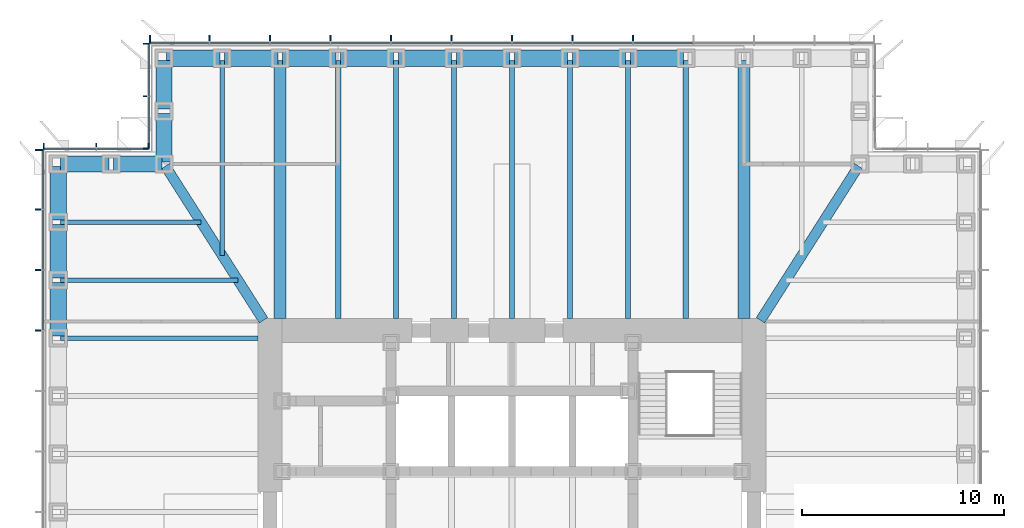
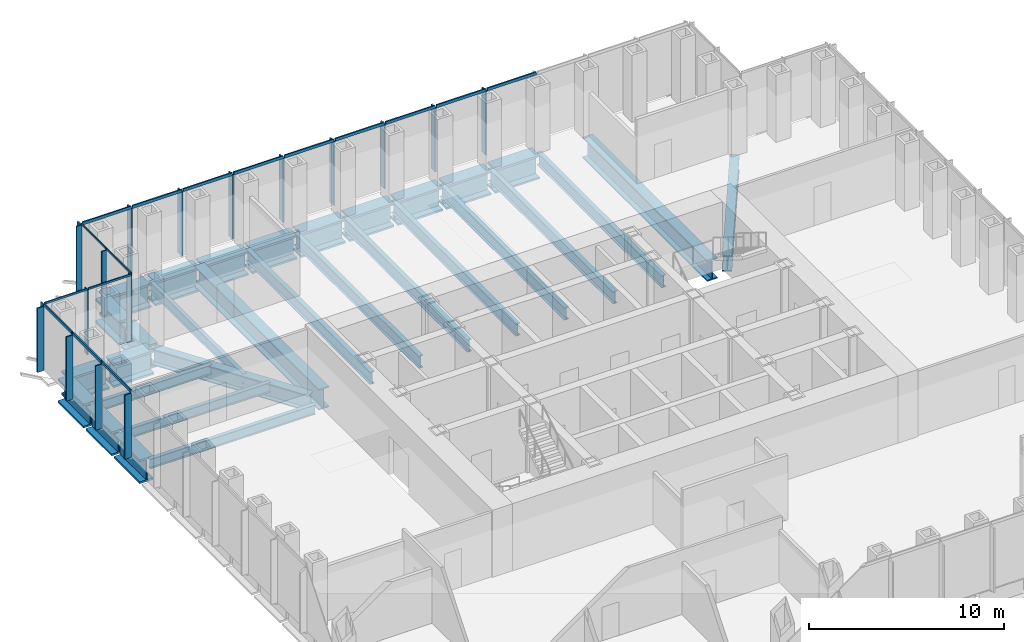
# One storey, part 5 of 17: 35 members, 31 beams, 4 elements without a shape of their own.
"""IFC4 building model written with IfcOpenShell, lengths in metres."""

from ifc_helpers import new_model, si_unit, direction, frame, origin, origin_2d, place, context, subcontext, project, spatial, rectangle, i_section, extrude, material, material_profile, profile_set, type_object, element, aggregate, save


model = new_model("IFC4")

# Units and contexts
model_context = context("Model", 3, precision=1e-05, world=origin(), true_north=direction((0.0, 1.0)))
body_context = subcontext(model_context, "Body", "Model", "MODEL_VIEW")
ifc_project = project(units=[si_unit("LENGTHUNIT", "METRE"), si_unit("AREAUNIT", "SQUARE_METRE"), si_unit("VOLUMEUNIT", "CUBIC_METRE"), si_unit("PLANEANGLEUNIT", "RADIAN"), si_unit("MASSUNIT", "GRAM", prefix="KILO")], contexts=[model_context])

# Site, building, storey
site_placement = place(None, origin())
site = spatial("IfcSite", under=ifc_project, at=site_placement, CompositionType="ELEMENT")
building_placement = place(site_placement, origin())
building = spatial("IfcBuilding", under=site, at=building_placement, Name="Daluyong Arena Tower", CompositionType="ELEMENT")
storey_placement = place(building_placement, frame((0.0, 0.0, 112.300048828125)))
storey = spatial("IfcBuildingStorey", under=building, at=storey_placement, Name="L24", CompositionType="ELEMENT", Elevation=112.300048828125)

# Curtain wall, members
ifc_material_1 = material(Name="Bronze anodised aluminium and glass", Category="aluminium")
curtain_wall_type_1 = type_object("IfcCurtainWallType", Name="Curtain wall CW2", PredefinedType="USERDEFINED", material=ifc_material_1)
curtain_wall_1_placement = place(storey_placement, origin())
curtain_wall_1 = element("IfcCurtainWall", 1, at=curtain_wall_1_placement, inside=storey, type_object=curtain_wall_type_1, Name="curtain wall L24 N", ObjectType="UNITISED CURTAIN WALL", PredefinedType="USERDEFINED")
ifc_material_2 = material(Name="Bronze anodised aluminium fin", Category="aluminium")
ifc_material_profile_1 = material_profile(ifc_material_2, rectangle(XDim=0.39990234375, YDim=0.080078125, at=origin_2d()))
ifc_profile_set_1 = profile_set([ifc_material_profile_1], Name="Bronze anodised aluminium fin")
member_type_1 = type_object("IfcMemberType", Name="CW2 bronze fin 400x80", PredefinedType="MULLION", material=ifc_profile_set_1)
member_1_placement = place(storey_placement, frame((62.0, 103.449951171875, 0.0), z_axis=(0.0, 0.0, 1.0), x_axis=(0.0, -1.0, 0.0)))
member_1 = element("IfcMember", 2, at=member_1_placement, type_object=member_type_1, Name="curtain wall L24 N fin 5", PredefinedType="MULLION", context=body_context, shape_type="SweptSolid", body=[
    extrude(rectangle(XDim=0.39990234375, YDim=0.080078125, at=origin_2d()), origin(), (0.0, 0.0, 1.0), 4.02001953125),
])
member_2_placement = place(storey_placement, frame((59.0, 103.449951171875, 0.0), z_axis=(0.0, 0.0, 1.0), x_axis=(0.0, -1.0, 0.0)))
member_2 = element("IfcMember", 3, at=member_2_placement, type_object=member_type_1, Name="curtain wall L24 N fin 6", PredefinedType="MULLION", context=body_context, shape_type="SweptSolid", body=[
    extrude(rectangle(XDim=0.39990234375, YDim=0.080078125, at=origin_2d()), origin(), (0.0, 0.0, 1.0), 4.02001953125),
])
member_3_placement = place(storey_placement, frame((56.0, 103.449951171875, 0.0), z_axis=(0.0, 0.0, 1.0), x_axis=(0.0, -1.0, 0.0)))
member_3 = element("IfcMember", 4, at=member_3_placement, type_object=member_type_1, Name="curtain wall L24 N fin 7", PredefinedType="MULLION", context=body_context, shape_type="SweptSolid", body=[
    extrude(rectangle(XDim=0.39990234375, YDim=0.080078125, at=origin_2d()), origin(), (0.0, 0.0, 1.0), 4.02001953125),
])
member_4_placement = place(storey_placement, frame((53.0, 103.449951171875, 0.0), z_axis=(0.0, 0.0, 1.0), x_axis=(0.0, -1.0, 0.0)))
member_4 = element("IfcMember", 5, at=member_4_placement, type_object=member_type_1, Name="curtain wall L24 N fin 8", PredefinedType="MULLION", context=body_context, shape_type="SweptSolid", body=[
    extrude(rectangle(XDim=0.39990234375, YDim=0.080078125, at=origin_2d()), origin(), (0.0, 0.0, 1.0), 4.02001953125),
])
member_5_placement = place(storey_placement, frame((50.0, 103.449951171875, 0.0), z_axis=(0.0, 0.0, 1.0), x_axis=(0.0, -1.0, 0.0)))
member_5 = element("IfcMember", 6, at=member_5_placement, type_object=member_type_1, Name="curtain wall L24 N fin 9", PredefinedType="MULLION", context=body_context, shape_type="SweptSolid", body=[
    extrude(rectangle(XDim=0.39990234375, YDim=0.080078125, at=origin_2d()), origin(), (0.0, 0.0, 1.0), 4.02001953125),
])
member_6_placement = place(storey_placement, frame((47.0, 103.449951171875, 0.0), z_axis=(0.0, 0.0, 1.0), x_axis=(0.0, -1.0, 0.0)))
member_6 = element("IfcMember", 7, at=member_6_placement, type_object=member_type_1, Name="curtain wall L24 N fin 10", PredefinedType="MULLION", context=body_context, shape_type="SweptSolid", body=[
    extrude(rectangle(XDim=0.39990234375, YDim=0.080078125, at=origin_2d()), origin(), (0.0, 0.0, 1.0), 4.02001953125),
])
member_7_placement = place(storey_placement, frame((44.0, 103.449951171875, 0.0), z_axis=(0.0, 0.0, 1.0), x_axis=(0.0, -1.0, 0.0)))
member_7 = element("IfcMember", 8, at=member_7_placement, type_object=member_type_1, Name="curtain wall L24 N fin 11", PredefinedType="MULLION", context=body_context, shape_type="SweptSolid", body=[
    extrude(rectangle(XDim=0.39990234375, YDim=0.080078125, at=origin_2d()), origin(), (0.0, 0.0, 1.0), 4.02001953125),
])
member_8_placement = place(storey_placement, frame((41.0, 103.449951171875, 0.0), z_axis=(0.0, 0.0, 1.0), x_axis=(0.0, -1.0, 0.0)))
member_8 = element("IfcMember", 9, at=member_8_placement, type_object=member_type_1, Name="curtain wall L24 N fin 12", PredefinedType="MULLION", context=body_context, shape_type="SweptSolid", body=[
    extrude(rectangle(XDim=0.39990234375, YDim=0.080078125, at=origin_2d()), origin(), (0.0, 0.0, 1.0), 4.02001953125),
])
member_9_placement = place(storey_placement, frame((38.0400390625, 103.449951171875, 0.0), z_axis=(0.0, 0.0, 1.0), x_axis=(0.0, -1.0, 0.0)))
member_9 = element("IfcMember", 10, at=member_9_placement, type_object=member_type_1, Name="curtain wall L24 N fin 13", PredefinedType="MULLION", context=body_context, shape_type="SweptSolid", body=[
    extrude(rectangle(XDim=0.39990234375, YDim=0.080078125, at=origin_2d()), origin(), (0.0, 0.0, 1.0), 4.02001953125),
])

curtain_wall_2_placement = place(storey_placement, origin())
curtain_wall_2 = element("IfcCurtainWall", 11, at=curtain_wall_2_placement, inside=storey, type_object=curtain_wall_type_1, Name="curtain wall L24 W", ObjectType="UNITISED CURTAIN WALL", PredefinedType="USERDEFINED")
member_10_placement = place(storey_placement, frame((32.550048828125, 97.9599609375, 0.0), z_axis=(0.0, 0.0, 1.0), x_axis=(1.0, 0.0, 0.0)))
member_10 = element("IfcMember", 12, at=member_10_placement, type_object=member_type_1, Name="curtain wall L24 W fin 1", PredefinedType="MULLION", context=body_context, shape_type="SweptSolid", body=[
    extrude(rectangle(XDim=0.39990234375, YDim=0.080078125, at=origin_2d()), origin(), (0.0, 0.0, 1.0), 4.02001953125),
])
member_11_placement = place(storey_placement, frame((32.550048828125, 95.0, 0.0), z_axis=(0.0, 0.0, 1.0), x_axis=(1.0, 0.0, 0.0)))
member_11 = element("IfcMember", 13, at=member_11_placement, type_object=member_type_1, Name="curtain wall L24 W fin 2", PredefinedType="MULLION", context=body_context, shape_type="SweptSolid", body=[
    extrude(rectangle(XDim=0.39990234375, YDim=0.080078125, at=origin_2d()), origin(), (0.0, 0.0, 1.0), 4.02001953125),
])
member_12_placement = place(storey_placement, frame((32.550048828125, 92.0, 0.0), z_axis=(0.0, 0.0, 1.0), x_axis=(1.0, 0.0, 0.0)))
member_12 = element("IfcMember", 14, at=member_12_placement, type_object=member_type_1, Name="curtain wall L24 W fin 3", PredefinedType="MULLION", context=body_context, shape_type="SweptSolid", body=[
    extrude(rectangle(XDim=0.39990234375, YDim=0.080078125, at=origin_2d()), origin(), (0.0, 0.0, 1.0), 4.02001953125),
])
member_13_placement = place(storey_placement, frame((32.550048828125, 89.0, 0.0), z_axis=(0.0, 0.0, 1.0), x_axis=(1.0, 0.0, 0.0)))
member_13 = element("IfcMember", 15, at=member_13_placement, type_object=member_type_1, Name="curtain wall L24 W fin 4", PredefinedType="MULLION", context=body_context, shape_type="SweptSolid", body=[
    extrude(rectangle(XDim=0.39990234375, YDim=0.080078125, at=origin_2d()), origin(), (0.0, 0.0, 1.0), 4.02001953125),
])

# Member
ifc_material_3 = material(Name="Bronze anodised aluminium", Category="aluminium")
ifc_material_profile_2 = material_profile(ifc_material_3, rectangle(XDim=0.080078125, YDim=0.179931640625, at=origin_2d()))
ifc_profile_set_2 = profile_set([ifc_material_profile_2], Name="Bronze anodised aluminium")
member_type_2 = type_object("IfcMemberType", Name="CW2 stack transom 180x80", PredefinedType="USERDEFINED", material=ifc_profile_set_2)
member_14_placement = place(storey_placement, frame((64.9599609375, 103.25, 4.10986328125), z_axis=(-1.0, 0.0, 0.0), x_axis=(0.0, -1.0, 0.0)))
member_14 = element("IfcMember", 16, at=member_14_placement, type_object=member_type_2, Name="curtain wall L24 N transom 4", ObjectType="TRANSOM", PredefinedType="USERDEFINED", context=body_context, shape_type="SweptSolid", body=[
    extrude(rectangle(XDim=0.080078125, YDim=0.179931640625, at=origin_2d()), origin(), (0.0, 0.0, 1.0), 2.919921875),
])

member_15_placement = place(storey_placement, frame((61.9599609375, 103.25, 4.10986328125), z_axis=(-1.0, 0.0, 0.0), x_axis=(0.0, -1.0, 0.0)))
member_15 = element("IfcMember", 17, at=member_15_placement, type_object=member_type_2, Name="curtain wall L24 N transom 5", ObjectType="TRANSOM", PredefinedType="USERDEFINED", context=body_context, shape_type="SweptSolid", body=[
    extrude(rectangle(XDim=0.080078125, YDim=0.179931640625, at=origin_2d()), origin(), (0.0, 0.0, 1.0), 2.919921875),
])

member_16_placement = place(storey_placement, frame((58.9599609375, 103.25, 4.10986328125), z_axis=(-1.0, 0.0, 0.0), x_axis=(0.0, -1.0, 0.0)))
member_16 = element("IfcMember", 18, at=member_16_placement, type_object=member_type_2, Name="curtain wall L24 N transom 6", ObjectType="TRANSOM", PredefinedType="USERDEFINED", context=body_context, shape_type="SweptSolid", body=[
    extrude(rectangle(XDim=0.080078125, YDim=0.179931640625, at=origin_2d()), origin(), (0.0, 0.0, 1.0), 2.919921875),
])

member_17_placement = place(storey_placement, frame((55.9599609375, 103.25, 4.10986328125), z_axis=(-1.0, 0.0, 0.0), x_axis=(0.0, -1.0, 0.0)))
member_17 = element("IfcMember", 19, at=member_17_placement, type_object=member_type_2, Name="curtain wall L24 N transom 7", ObjectType="TRANSOM", PredefinedType="USERDEFINED", context=body_context, shape_type="SweptSolid", body=[
    extrude(rectangle(XDim=0.080078125, YDim=0.179931640625, at=origin_2d()), origin(), (0.0, 0.0, 1.0), 2.919921875),
])

member_18_placement = place(storey_placement, frame((52.9599609375, 103.25, 4.10986328125), z_axis=(-1.0, 0.0, 0.0), x_axis=(0.0, -1.0, 0.0)))
member_18 = element("IfcMember", 20, at=member_18_placement, type_object=member_type_2, Name="curtain wall L24 N transom 8", ObjectType="TRANSOM", PredefinedType="USERDEFINED", context=body_context, shape_type="SweptSolid", body=[
    extrude(rectangle(XDim=0.080078125, YDim=0.179931640625, at=origin_2d()), origin(), (0.0, 0.0, 1.0), 2.919921875),
])

member_19_placement = place(storey_placement, frame((49.9599609375, 103.25, 4.10986328125), z_axis=(-1.0, 0.0, 0.0), x_axis=(0.0, -1.0, 0.0)))
member_19 = element("IfcMember", 21, at=member_19_placement, type_object=member_type_2, Name="curtain wall L24 N transom 9", ObjectType="TRANSOM", PredefinedType="USERDEFINED", context=body_context, shape_type="SweptSolid", body=[
    extrude(rectangle(XDim=0.080078125, YDim=0.179931640625, at=origin_2d()), origin(), (0.0, 0.0, 1.0), 2.919921875),
])

member_20_placement = place(storey_placement, frame((46.9599609375, 103.25, 4.10986328125), z_axis=(-1.0, 0.0, 0.0), x_axis=(0.0, -1.0, 0.0)))
member_20 = element("IfcMember", 22, at=member_20_placement, type_object=member_type_2, Name="curtain wall L24 N transom 10", ObjectType="TRANSOM", PredefinedType="USERDEFINED", context=body_context, shape_type="SweptSolid", body=[
    extrude(rectangle(XDim=0.080078125, YDim=0.179931640625, at=origin_2d()), origin(), (0.0, 0.0, 1.0), 2.919921875),
])

member_21_placement = place(storey_placement, frame((43.9599609375, 103.25, 4.10986328125), z_axis=(-1.0, 0.0, 0.0), x_axis=(0.0, -1.0, 0.0)))
member_21 = element("IfcMember", 23, at=member_21_placement, type_object=member_type_2, Name="curtain wall L24 N transom 11", ObjectType="TRANSOM", PredefinedType="USERDEFINED", context=body_context, shape_type="SweptSolid", body=[
    extrude(rectangle(XDim=0.080078125, YDim=0.179931640625, at=origin_2d()), origin(), (0.0, 0.0, 1.0), 2.919921875),
])

member_22_placement = place(storey_placement, frame((40.9599609375, 103.25, 4.10986328125), z_axis=(-1.0, 0.0, 0.0), x_axis=(0.0, -1.0, 0.0)))
member_22 = element("IfcMember", 24, at=member_22_placement, type_object=member_type_2, Name="curtain wall L24 N transom 12", ObjectType="TRANSOM", PredefinedType="USERDEFINED", context=body_context, shape_type="SweptSolid", body=[
    extrude(rectangle(XDim=0.080078125, YDim=0.179931640625, at=origin_2d()), origin(), (0.0, 0.0, 1.0), 2.8798828125),
])

aggregate(curtain_wall_1, [member_1, member_2, member_3, member_4, member_5, member_6, member_7, member_8, member_9, member_14, member_15, member_16, member_17, member_18, member_19, member_20, member_21, member_22])

member_23_placement = place(storey_placement, frame((32.75, 97.919921875, 4.10986328125), z_axis=(0.0, -1.0, 0.0), x_axis=(1.0, 0.0, 0.0)))
member_23 = element("IfcMember", 25, at=member_23_placement, type_object=member_type_2, Name="curtain wall L24 W transom 1", ObjectType="TRANSOM", PredefinedType="USERDEFINED", context=body_context, shape_type="SweptSolid", body=[
    extrude(rectangle(XDim=0.080078125, YDim=0.179931640625, at=origin_2d()), origin(), (0.0, 0.0, 1.0), 2.8798828125),
])

member_24_placement = place(storey_placement, frame((32.75, 94.9599609375, 4.10986328125), z_axis=(0.0, -1.0, 0.0), x_axis=(1.0, 0.0, 0.0)))
member_24 = element("IfcMember", 26, at=member_24_placement, type_object=member_type_2, Name="curtain wall L24 W transom 2", ObjectType="TRANSOM", PredefinedType="USERDEFINED", context=body_context, shape_type="SweptSolid", body=[
    extrude(rectangle(XDim=0.080078125, YDim=0.179931640625, at=origin_2d()), origin(), (0.0, 0.0, 1.0), 2.919921875),
])

member_25_placement = place(storey_placement, frame((32.75, 91.9599609375, 4.10986328125), z_axis=(0.0, -1.0, 0.0), x_axis=(1.0, 0.0, 0.0)))
member_25 = element("IfcMember", 27, at=member_25_placement, type_object=member_type_2, Name="curtain wall L24 W transom 3", ObjectType="TRANSOM", PredefinedType="USERDEFINED", context=body_context, shape_type="SweptSolid", body=[
    extrude(rectangle(XDim=0.080078125, YDim=0.179931640625, at=origin_2d()), origin(), (0.0, 0.0, 1.0), 2.919921875),
])

aggregate(curtain_wall_2, [member_10, member_11, member_12, member_13, member_23, member_24, member_25])

# Curtain wall, members
ifc_material_4 = material(Name="Bronze anodised aluminium and glass", Category="aluminium")
curtain_wall_type_2 = type_object("IfcCurtainWallType", Name="Curtain wall CW7", PredefinedType="USERDEFINED", material=ifc_material_4)
curtain_wall_3_placement = place(storey_placement, origin())
curtain_wall_3 = element("IfcCurtainWall", 28, at=curtain_wall_3_placement, inside=storey, type_object=curtain_wall_type_2, Name="curtain wall L24 NW-W", ObjectType="UNITISED CURTAIN WALL", PredefinedType="USERDEFINED")
ifc_material_5 = material(Name="Bronze anodised aluminium fin", Category="aluminium")
ifc_material_profile_3 = material_profile(ifc_material_5, rectangle(XDim=0.300048828125, YDim=0.06005859375, at=origin_2d()))
ifc_profile_set_3 = profile_set([ifc_material_profile_3], Name="Bronze anodised aluminium fin")
member_type_3 = type_object("IfcMemberType", Name="CW7 bronze fin 300x60", PredefinedType="MULLION", material=ifc_profile_set_3)
member_26_placement = place(storey_placement, frame((37.85009765625, 103.219970703125, 0.0), z_axis=(0.0, 0.0, 1.0), x_axis=(1.0, 0.0, 0.0)))
member_26 = element("IfcMember", 29, at=member_26_placement, type_object=member_type_3, Name="curtain wall L24 NW-W fin 1", PredefinedType="MULLION", context=body_context, shape_type="SweptSolid", body=[
    extrude(rectangle(XDim=0.300048828125, YDim=0.06005859375, at=origin_2d()), origin(), (0.0, 0.0, 1.0), 4.079833984375),
])
member_27_placement = place(storey_placement, frame((37.85009765625, 100.625, 0.0), z_axis=(0.0, 0.0, 1.0), x_axis=(1.0, 0.0, 0.0)))
member_27 = element("IfcMember", 30, at=member_27_placement, type_object=member_type_3, Name="curtain wall L24 NW-W fin 2", PredefinedType="MULLION", context=body_context, shape_type="SweptSolid", body=[
    extrude(rectangle(XDim=0.300048828125, YDim=0.06005859375, at=origin_2d()), origin(), (0.0, 0.0, 1.0), 4.079833984375),
])
member_28_placement = place(storey_placement, frame((37.85009765625, 98.030029296875, 0.0), z_axis=(0.0, 0.0, 1.0), x_axis=(1.0, 0.0, 0.0)))
member_28 = element("IfcMember", 31, at=member_28_placement, type_object=member_type_3, Name="curtain wall L24 NW-W fin 3", PredefinedType="MULLION", context=body_context, shape_type="SweptSolid", body=[
    extrude(rectangle(XDim=0.300048828125, YDim=0.06005859375, at=origin_2d()), origin(), (0.0, 0.0, 1.0), 4.079833984375),
])

curtain_wall_4_placement = place(storey_placement, origin())
curtain_wall_4 = element("IfcCurtainWall", 32, at=curtain_wall_4_placement, inside=storey, type_object=curtain_wall_type_2, Name="curtain wall L24 NW-N", ObjectType="UNITISED CURTAIN WALL", PredefinedType="USERDEFINED")
member_29_placement = place(storey_placement, frame((37.969970703125, 98.14990234375, 0.0), z_axis=(0.0, 0.0, 1.0), x_axis=(0.0, -1.0, 0.0)))
member_29 = element("IfcMember", 33, at=member_29_placement, type_object=member_type_3, Name="curtain wall L24 NW-N fin 1", PredefinedType="MULLION", context=body_context, shape_type="SweptSolid", body=[
    extrude(rectangle(XDim=0.300048828125, YDim=0.06005859375, at=origin_2d()), origin(), (0.0, 0.0, 1.0), 4.079833984375),
])
member_30_placement = place(storey_placement, frame((35.375, 98.14990234375, 0.0), z_axis=(0.0, 0.0, 1.0), x_axis=(0.0, -1.0, 0.0)))
member_30 = element("IfcMember", 34, at=member_30_placement, type_object=member_type_3, Name="curtain wall L24 NW-N fin 2", PredefinedType="MULLION", context=body_context, shape_type="SweptSolid", body=[
    extrude(rectangle(XDim=0.300048828125, YDim=0.06005859375, at=origin_2d()), origin(), (0.0, 0.0, 1.0), 4.079833984375),
])
member_31_placement = place(storey_placement, frame((32.780029296875, 98.14990234375, 0.0), z_axis=(0.0, 0.0, 1.0), x_axis=(0.0, -1.0, 0.0)))
member_31 = element("IfcMember", 35, at=member_31_placement, type_object=member_type_3, Name="curtain wall L24 NW-N fin 3", PredefinedType="MULLION", context=body_context, shape_type="SweptSolid", body=[
    extrude(rectangle(XDim=0.300048828125, YDim=0.06005859375, at=origin_2d()), origin(), (0.0, 0.0, 1.0), 4.079833984375),
])

# Member
ifc_material_6 = material(Name="Bronze anodised aluminium", Category="aluminium")
ifc_material_profile_4 = material_profile(ifc_material_6, rectangle(XDim=0.06005859375, YDim=0.1201171875, at=origin_2d()))
ifc_profile_set_4 = profile_set([ifc_material_profile_4], Name="Bronze anodised aluminium")
member_type_4 = type_object("IfcMemberType", Name="CW7 stack transom 120x60", PredefinedType="USERDEFINED", material=ifc_profile_set_4)
member_32_placement = place(storey_placement, frame((38.0, 103.18994140625, 4.139892578125), z_axis=(0.0, -1.0, 0.0), x_axis=(1.0, 0.0, 0.0)))
member_32 = element("IfcMember", 36, at=member_32_placement, type_object=member_type_4, Name="curtain wall L24 NW-W transom 1", ObjectType="TRANSOM", PredefinedType="USERDEFINED", context=body_context, shape_type="SweptSolid", body=[
    extrude(rectangle(XDim=0.06005859375, YDim=0.1201171875, at=origin_2d()), origin(), (0.0, 0.0, 1.0), 2.534912109375),
])

member_33_placement = place(storey_placement, frame((38.0, 100.594970703125, 4.139892578125), z_axis=(0.0, -1.0, 0.0), x_axis=(1.0, 0.0, 0.0)))
member_33 = element("IfcMember", 37, at=member_33_placement, type_object=member_type_4, Name="curtain wall L24 NW-W transom 2", ObjectType="TRANSOM", PredefinedType="USERDEFINED", context=body_context, shape_type="SweptSolid", body=[
    extrude(rectangle(XDim=0.06005859375, YDim=0.1201171875, at=origin_2d()), origin(), (0.0, 0.0, 1.0), 2.534912109375),
])

aggregate(curtain_wall_3, [member_26, member_27, member_28, member_32, member_33])

member_34_placement = place(storey_placement, frame((37.93994140625, 98.0, 4.139892578125), z_axis=(-1.0, 0.0, 0.0), x_axis=(0.0, -1.0, 0.0)))
member_34 = element("IfcMember", 38, at=member_34_placement, type_object=member_type_4, Name="curtain wall L24 NW-N transom 1", ObjectType="TRANSOM", PredefinedType="USERDEFINED", context=body_context, shape_type="SweptSolid", body=[
    extrude(rectangle(XDim=0.06005859375, YDim=0.1201171875, at=origin_2d()), origin(), (0.0, 0.0, 1.0), 2.534912109375),
])

member_35_placement = place(storey_placement, frame((35.344970703125, 98.0, 4.139892578125), z_axis=(-1.0, 0.0, 0.0), x_axis=(0.0, -1.0, 0.0)))
member_35 = element("IfcMember", 39, at=member_35_placement, type_object=member_type_4, Name="curtain wall L24 NW-N transom 2", ObjectType="TRANSOM", PredefinedType="USERDEFINED", context=body_context, shape_type="SweptSolid", body=[
    extrude(rectangle(XDim=0.06005859375, YDim=0.1201171875, at=origin_2d()), origin(), (0.0, 0.0, 1.0), 2.534912109375),
])

aggregate(curtain_wall_4, [member_29, member_30, member_31, member_34, member_35])

# Beams
ifc_material_7 = material(Name="Steel ASTM A572 Grade 50", Category="steel")
ifc_material_profile_5 = material_profile(ifc_material_7, i_section(OverallWidth=0.5, OverallDepth=1.0, WebThickness=0.03, FlangeThickness=0.06, at=origin_2d()))
ifc_profile_set_5 = profile_set([ifc_material_profile_5], Name="Steel ASTM A572 Grade 50")
beam_type_1 = type_object("IfcBeamType", Name="Corner girder TB1000X500", PredefinedType="BEAM", material=ifc_profile_set_5)
for number, where, z_axis, x_axis, name in (
    (40, (73.188232421875, 97.153076171875, -0.66015625), (-0.536872006459, -0.843663705916, 0.0), (0.843663705916, -0.536872006459, 0.0), "corner girder DG2"),
    (41, (38.811767578125, 97.153076171875, -0.66015625), (0.536872006459, -0.843663705916, 0.0), (0.843663705916, 0.536872006459, 0.0), "corner girder DG2"),
):
    element("IfcBeam", number, at=place(storey_placement, frame(where, z_axis=z_axis, x_axis=x_axis)), inside=storey, type_object=beam_type_1, Name=name, PredefinedType="BEAM", context=body_context, shape_type="SweptSolid", body=[
        extrude(i_section(OverallWidth=0.5, OverallDepth=1.0, WebThickness=0.03, FlangeThickness=0.06, at=origin_2d()), origin(), (0.0, 0.0, 1.0), 9.06396484375),
    ])
ifc_material_8 = material(Name="Steel ASTM A572 Grade 50", Category="steel")
ifc_material_profile_6 = material_profile(ifc_material_8, i_section(OverallWidth=0.60009765625, OverallDepth=1.300048828125, WebThickness=0.035, FlangeThickness=0.07, at=origin_2d()))
ifc_profile_set_6 = profile_set([ifc_material_profile_6], Name="Steel ASTM A572 Grade 50")
beam_type_2 = type_object("IfcBeamType", Name="Floor beam TB1300X600", PredefinedType="BEAM", material=ifc_profile_set_6)
for number, where, z_axis, x_axis, name in (
    (42, (67.5, 102.385009765625, -0.81005859375), (0.0, -1.0, 0.0), (1.0, 0.0, 0.0), "floor beam FB7"),
    (43, (44.5, 102.385009765625, -0.81005859375), (0.0, -1.0, 0.0), (1.0, 0.0, 0.0), "floor beam FB7"),
):
    element("IfcBeam", number, at=place(storey_placement, frame(where, z_axis=z_axis, x_axis=x_axis)), inside=storey, type_object=beam_type_2, Name=name, PredefinedType="BEAM", context=body_context, shape_type="SweptSolid", body=[
        extrude(i_section(OverallWidth=0.60009765625, OverallDepth=1.300048828125, WebThickness=0.035, FlangeThickness=0.07, at=origin_2d()), origin(), (0.0, 0.0, 1.0), 12.784912109375),
    ])
ifc_material_9 = material(Name="Steel ASTM A992 Grade 50", Category="steel")
ifc_material_profile_7 = material_profile(ifc_material_9, i_section(OverallWidth=0.22900390625, OverallDepth=0.612060546875, WebThickness=0.011962890625, FlangeThickness=0.01953125, at=origin_2d()))
ifc_profile_set_7 = profile_set([ifc_material_profile_7], Name="Steel ASTM A992 Grade 50")
beam_type_3 = type_object("IfcBeamType", Name="Floor beam W24X84", PredefinedType="BEAM", material=ifc_profile_set_7)
beam_1_placement = place(storey_placement, frame((41.625, 102.385009765625, -0.466064453125), z_axis=(0.0, -1.0, 0.0), x_axis=(1.0, 0.0, 0.0)))
element("IfcBeam", 44, at=beam_1_placement, inside=storey, type_object=beam_type_3, Name="floor beam FB3", PredefinedType="BEAM", context=body_context, shape_type="SweptSolid", body=[
    extrude(i_section(OverallWidth=0.22900390625, OverallDepth=0.612060546875, WebThickness=0.011962890625, FlangeThickness=0.01953125, at=origin_2d()), origin(), (0.0, 0.0, 1.0), 9.65283203125),
])
beam_2_placement = place(storey_placement, frame((33.614990234375, 94.375, -0.466064453125), z_axis=(1.0, 0.0, 0.0), x_axis=(0.0, 1.0, 0.0)))
element("IfcBeam", 45, at=beam_2_placement, inside=storey, type_object=beam_type_3, Name="floor beam FB3", PredefinedType="BEAM", context=body_context, shape_type="SweptSolid", body=[
    extrude(i_section(OverallWidth=0.22900390625, OverallDepth=0.612060546875, WebThickness=0.011962890625, FlangeThickness=0.01953125, at=origin_2d()), origin(), (0.0, 0.0, 1.0), 6.964599609375),
])
beam_3_placement = place(storey_placement, frame((33.614990234375, 91.5, -0.466064453125), z_axis=(1.0, 0.0, 0.0), x_axis=(0.0, 1.0, 0.0)))
element("IfcBeam", 46, at=beam_3_placement, inside=storey, type_object=beam_type_3, Name="floor beam FB3", PredefinedType="BEAM", context=body_context, shape_type="SweptSolid", body=[
    extrude(i_section(OverallWidth=0.22900390625, OverallDepth=0.612060546875, WebThickness=0.011962890625, FlangeThickness=0.01953125, at=origin_2d()), origin(), (0.0, 0.0, 1.0), 8.794189453125),
])
beam_4_placement = place(storey_placement, frame((33.614990234375, 88.625, -0.466064453125), z_axis=(1.0, 0.0, 0.0), x_axis=(0.0, 1.0, 0.0)))
element("IfcBeam", 47, at=beam_4_placement, inside=storey, type_object=beam_type_3, Name="floor beam FB3", PredefinedType="BEAM", context=body_context, shape_type="SweptSolid", body=[
    extrude(i_section(OverallWidth=0.22900390625, OverallDepth=0.612060546875, WebThickness=0.011962890625, FlangeThickness=0.01953125, at=origin_2d()), origin(), (0.0, 0.0, 1.0), 9.784912109375),
])
ifc_material_10 = material(Name="Steel ASTM A992 Grade 50", Category="steel")
ifc_material_profile_8 = material_profile(ifc_material_10, i_section(OverallWidth=0.2666015625, OverallDepth=0.761962890625, WebThickness=0.014404296875, FlangeThickness=0.021484375, at=origin_2d()))
ifc_profile_set_8 = profile_set([ifc_material_profile_8], Name="Steel ASTM A992 Grade 50")
beam_type_4 = type_object("IfcBeamType", Name="Floor beam W30X116", PredefinedType="BEAM", material=ifc_profile_set_8)
for number, where, z_axis, x_axis, name in (
    (48, (64.625, 102.385009765625, -0.541015625), (0.0, -1.0, 0.0), (1.0, 0.0, 0.0), "floor beam FB4"),
    (49, (61.75, 102.385009765625, -0.541015625), (0.0, -1.0, 0.0), (1.0, 0.0, 0.0), "floor beam FB4"),
    (50, (58.875, 102.385009765625, -0.541015625), (0.0, -1.0, 0.0), (1.0, 0.0, 0.0), "floor beam FB4"),
    (51, (56.0, 102.385009765625, -0.541015625), (0.0, -1.0, 0.0), (1.0, 0.0, 0.0), "floor beam FB4"),
    (52, (53.125, 102.385009765625, -0.541015625), (0.0, -1.0, 0.0), (1.0, 0.0, 0.0), "floor beam FB4"),
    (53, (50.25, 102.385009765625, -0.541015625), (0.0, -1.0, 0.0), (1.0, 0.0, 0.0), "floor beam FB4"),
    (54, (47.375, 102.385009765625, -0.541015625), (0.0, -1.0, 0.0), (1.0, 0.0, 0.0), "floor beam FB4"),
):
    element("IfcBeam", number, at=place(storey_placement, frame(where, z_axis=z_axis, x_axis=x_axis)), inside=storey, type_object=beam_type_4, Name=name, PredefinedType="BEAM", context=body_context, shape_type="SweptSolid", body=[
        extrude(i_section(OverallWidth=0.2666015625, OverallDepth=0.761962890625, WebThickness=0.014404296875, FlangeThickness=0.021484375, at=origin_2d()), origin(), (0.0, 0.0, 1.0), 12.784912109375),
    ])
ifc_material_11 = material(Name="Steel ASTM A588 Grade 50", Category="steel")
ifc_material_profile_9 = material_profile(ifc_material_11, i_section(OverallWidth=0.800048828125, OverallDepth=1.5, WebThickness=0.05, FlangeThickness=0.12, at=origin_2d()))
ifc_profile_set_9 = profile_set([ifc_material_profile_9], Name="Steel ASTM A588 Grade 50")
beam_type_5 = type_object("IfcBeamType", Name="Spandrel Z2 PG1500X800", PredefinedType="SPANDREL", material=ifc_profile_set_9)
for number, where, z_axis, x_axis, name in (
    (55, (64.510009765625, 102.5, -0.91015625), (-1.0, 0.0, 0.0), (0.0, -1.0, 0.0), "spandrel z2 SB5"),
    (56, (61.635009765625, 102.5, -0.91015625), (-1.0, 0.0, 0.0), (0.0, -1.0, 0.0), "spandrel z2 SB5"),
    (57, (58.760009765625, 102.5, -0.91015625), (-1.0, 0.0, 0.0), (0.0, -1.0, 0.0), "spandrel z2 SB5"),
    (58, (55.885009765625, 102.5, -0.91015625), (-1.0, 0.0, 0.0), (0.0, -1.0, 0.0), "spandrel z2 SB5"),
    (59, (53.010009765625, 102.5, -0.91015625), (-1.0, 0.0, 0.0), (0.0, -1.0, 0.0), "spandrel z2 SB5"),
    (60, (50.135009765625, 102.5, -0.91015625), (-1.0, 0.0, 0.0), (0.0, -1.0, 0.0), "spandrel z2 SB5"),
    (61, (47.260009765625, 102.5, -0.91015625), (-1.0, 0.0, 0.0), (0.0, -1.0, 0.0), "spandrel z2 SB5"),
    (62, (44.385009765625, 102.5, -0.91015625), (-1.0, 0.0, 0.0), (0.0, -1.0, 0.0), "spandrel z2 SB5"),
    (63, (41.510009765625, 102.5, -0.91015625), (-1.0, 0.0, 0.0), (0.0, -1.0, 0.0), "spandrel z2 SB5"),
):
    element("IfcBeam", number, at=place(storey_placement, frame(where, z_axis=z_axis, x_axis=x_axis)), inside=storey, type_object=beam_type_5, Name=name, PredefinedType="SPANDREL", context=body_context, shape_type="SweptSolid", body=[
        extrude(i_section(OverallWidth=0.800048828125, OverallDepth=1.5, WebThickness=0.05, FlangeThickness=0.12, at=origin_2d()), origin(), (0.0, 0.0, 1.0), 2.64501953125),
    ])
for number, where, z_axis, x_axis, name in (
    (64, (38.75, 102.385009765625, -0.91015625), (0.0, -1.0, 0.0), (1.0, 0.0, 0.0), "spandrel z2 SB5"),
    (65, (38.75, 99.760009765625, -0.91015625), (0.0, -1.0, 0.0), (1.0, 0.0, 0.0), "spandrel z2 SB5"),
    (66, (38.635009765625, 97.25, -0.91015625), (-1.0, 0.0, 0.0), (0.0, -1.0, 0.0), "spandrel z2 SB5"),
    (67, (36.010009765625, 97.25, -0.91015625), (-1.0, 0.0, 0.0), (0.0, -1.0, 0.0), "spandrel z2 SB5"),
):
    element("IfcBeam", number, at=place(storey_placement, frame(where, z_axis=z_axis, x_axis=x_axis)), inside=storey, type_object=beam_type_5, Name=name, PredefinedType="SPANDREL", context=body_context, shape_type="SweptSolid", body=[
        extrude(i_section(OverallWidth=0.800048828125, OverallDepth=1.5, WebThickness=0.05, FlangeThickness=0.12, at=origin_2d()), origin(), (0.0, 0.0, 1.0), 2.39501953125),
    ])
for number, where, z_axis, x_axis, name in (
    (68, (33.5, 97.135009765625, -0.91015625), (0.0, -1.0, 0.0), (1.0, 0.0, 0.0), "spandrel z2 SB5"),
    (69, (33.5, 94.260009765625, -0.91015625), (0.0, -1.0, 0.0), (1.0, 0.0, 0.0), "spandrel z2 SB5"),
    (70, (33.5, 91.385009765625, -0.91015625), (0.0, -1.0, 0.0), (1.0, 0.0, 0.0), "spandrel z2 SB5"),
):
    element("IfcBeam", number, at=place(storey_placement, frame(where, z_axis=z_axis, x_axis=x_axis)), inside=storey, type_object=beam_type_5, Name=name, PredefinedType="SPANDREL", context=body_context, shape_type="SweptSolid", body=[
        extrude(i_section(OverallWidth=0.800048828125, OverallDepth=1.5, WebThickness=0.05, FlangeThickness=0.12, at=origin_2d()), origin(), (0.0, 0.0, 1.0), 2.64501953125),
    ])

save(model, "model.ifc")
